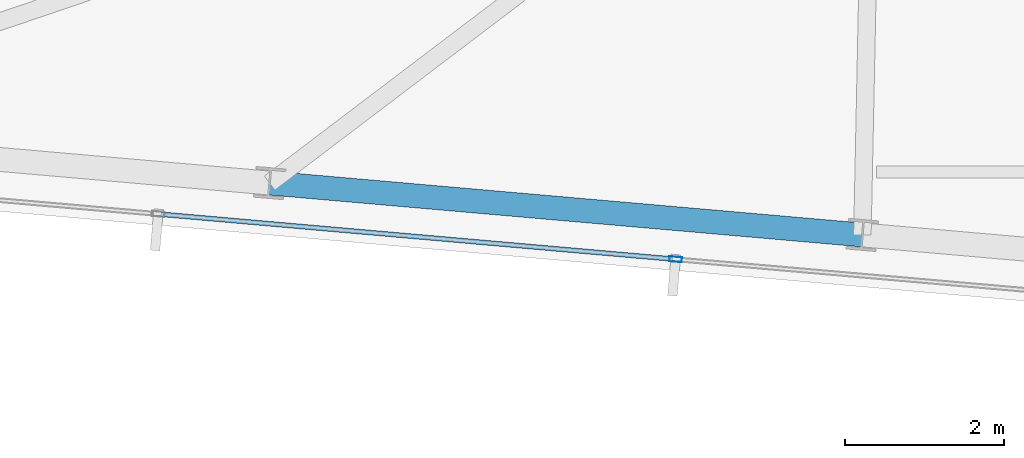
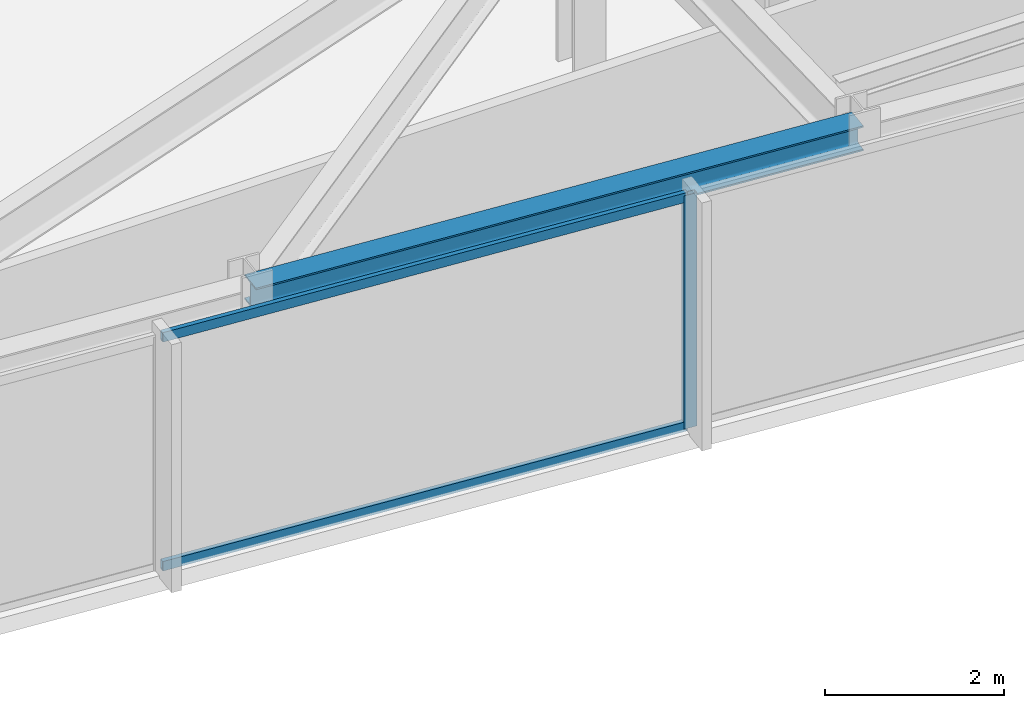
# One storey, part 3 of 32: 3 members, 1 beam, 1 element without a shape of its own.
"""IFC4 building model written with IfcOpenShell, lengths in metres."""

from ifc_helpers import new_model, si_unit, direction, frame, origin, origin_2d, place, context, subcontext, project, spatial, hollow_rectangle, i_section, extrude, material, material_profile, profile_set, type_object, element, aggregate, save


model = new_model("IFC4")

# Units and contexts
model_context = context("Model", 3, precision=1e-05, world=origin(), true_north=direction((0.0, 1.0)))
body_context = subcontext(model_context, "Body", "Model", "MODEL_VIEW")
ifc_project = project(units=[si_unit("LENGTHUNIT", "METRE"), si_unit("AREAUNIT", "SQUARE_METRE"), si_unit("VOLUMEUNIT", "CUBIC_METRE"), si_unit("PLANEANGLEUNIT", "RADIAN"), si_unit("MASSUNIT", "GRAM", prefix="KILO")], contexts=[model_context])

# Site, building, storey
site_placement = place(None, origin())
site = spatial("IfcSite", under=ifc_project, at=site_placement, CompositionType="ELEMENT")
building_placement = place(site_placement, origin())
building = spatial("IfcBuilding", under=site, at=building_placement, Name="Yelkora Congress Tower", CompositionType="ELEMENT")
storey_placement = place(building_placement, frame((0.0, 0.0, 279.5)))
storey = spatial("IfcBuildingStorey", under=building, at=storey_placement, Name="L78", CompositionType="ELEMENT", Elevation=279.5)

# Beam
ifc_material_1 = material(Name="Steel S355J2", Category="steel")
ifc_material_profile_1 = material_profile(ifc_material_1, i_section(OverallWidth=0.300048828125, OverallDepth=0.340087890625, WebThickness=0.011962890625, FlangeThickness=0.021484375, FilletRadius=0.027099609375, at=origin_2d()), Name="HEB 340")
ifc_profile_set_1 = profile_set([ifc_material_profile_1], Name="Steel S355J2")
beam_type = type_object("IfcBeamType", Name="BM-SPAN-HEB340", PredefinedType="SPANDREL", material=ifc_profile_set_1)
beam_placement = place(storey_placement, frame((15.452880859375, 19.445556640625, 3.010009765625), z_axis=(0.996193186297, -0.08717302092, 0.0), x_axis=(0.08717302092, 0.996193186297, 0.0)))
element("IfcBeam", 1, at=beam_placement, inside=storey, type_object=beam_type, Name="L78 Perimeter Beam 2", PredefinedType="SPANDREL", context=body_context, shape_type="SweptSolid", body=[
    extrude(i_section(OverallWidth=0.300048828125, OverallDepth=0.340087890625, WebThickness=0.011962890625, FlangeThickness=0.021484375, FilletRadius=0.027099609375, at=origin_2d()), origin(), (0.0, 0.0, 1.0), 7.4833984375),
])

# Curtain wall, members
ifc_material_2 = material(Name="Anodised aluminium and insulated glass", Category="aluminium")
curtain_wall_type = type_object("IfcCurtainWallType", Name="CW-SYS-B5", PredefinedType="NOTDEFINED", material=ifc_material_2)
curtain_wall_placement = place(storey_placement, origin())
curtain_wall = element("IfcCurtainWall", 2, at=curtain_wall_placement, inside=storey, type_object=curtain_wall_type, Name="L78 Unitised Curtain Wall 20", PredefinedType="NOTDEFINED")
ifc_material_3 = material(Name="Anodised aluminium 6063-T6", Category="aluminium")
ifc_material_profile_2 = material_profile(ifc_material_3, hollow_rectangle(XDim=0.06494140625, YDim=0.159912109375, WallThickness=0.00390625, at=origin_2d()), Name="ALU 65x160x4")
ifc_profile_set_2 = profile_set([ifc_material_profile_2], Name="Anodised aluminium 6063-T6")
member_type_1 = type_object("IfcMemberType", Name="MEM-ML-B5", PredefinedType="MULLION", material=ifc_profile_set_2)
member_1_placement = place(storey_placement, frame((20.558349609375, 18.487060546875, 0.0), z_axis=(0.0, 0.0, 1.0), x_axis=(-0.087156829793, -0.996194602987, 0.0)))
member_1 = element("IfcMember", 3, at=member_1_placement, type_object=member_type_1, Name="CW-B5 mullion 6", PredefinedType="MULLION", context=body_context, shape_type="SweptSolid", body=[
    extrude(hollow_rectangle(XDim=0.06494140625, YDim=0.159912109375, WallThickness=0.00390625, at=origin_2d()), origin(), (0.0, 0.0, 1.0), 3.179931640625),
])
ifc_material_profile_3 = material_profile(ifc_material_3, hollow_rectangle(XDim=0.06005859375, YDim=0.1298828125, WallThickness=0.00390625, at=origin_2d()), Name="ALU 60x130x4")
ifc_profile_set_3 = profile_set([ifc_material_profile_3], Name="Anodised aluminium 6063-T6")
member_type_2 = type_object("IfcMemberType", Name="MEM-TR-B5", PredefinedType="USERDEFINED", material=ifc_profile_set_3)
member_2_placement = place(storey_placement, frame((20.52587890625, 18.48974609375, 0.030029296875), z_axis=(-0.99619269288, 0.087178659385, 0.0), x_axis=(-0.087178659385, -0.99619269288, 0.0)))
member_2 = element("IfcMember", 4, at=member_2_placement, type_object=member_type_2, Name="CW-B5 transom 6.1", ObjectType="TRANSOM", PredefinedType="USERDEFINED", context=body_context, shape_type="SweptSolid", body=[
    extrude(hollow_rectangle(XDim=0.06005859375, YDim=0.1298828125, WallThickness=0.00390625, at=origin_2d()), origin(), (0.0, 0.0, 1.0), 6.46630859375),
])
member_3_placement = place(storey_placement, frame((20.52587890625, 18.48974609375, 3.14990234375), z_axis=(-0.99619269288, 0.087178659385, 0.0), x_axis=(-0.087178659385, -0.99619269288, 0.0)))
member_3 = element("IfcMember", 5, at=member_3_placement, type_object=member_type_2, Name="CW-B5 transom 6.2", ObjectType="TRANSOM", PredefinedType="USERDEFINED", context=body_context, shape_type="SweptSolid", body=[
    extrude(hollow_rectangle(XDim=0.06005859375, YDim=0.1298828125, WallThickness=0.00390625, at=origin_2d()), origin(), (0.0, 0.0, 1.0), 6.46630859375),
])
aggregate(curtain_wall, [member_1, member_2, member_3])

save(model, "model.ifc")
